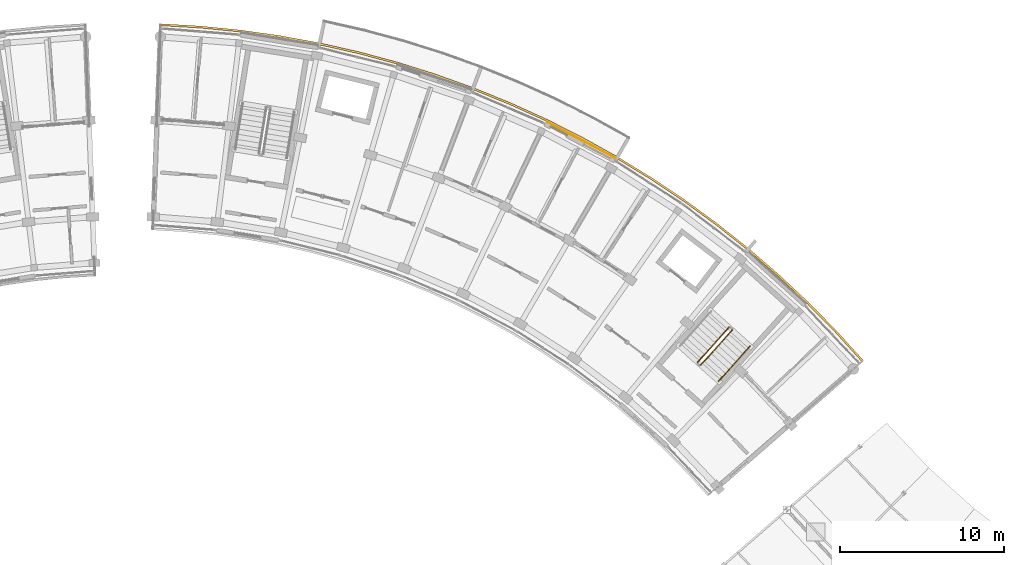
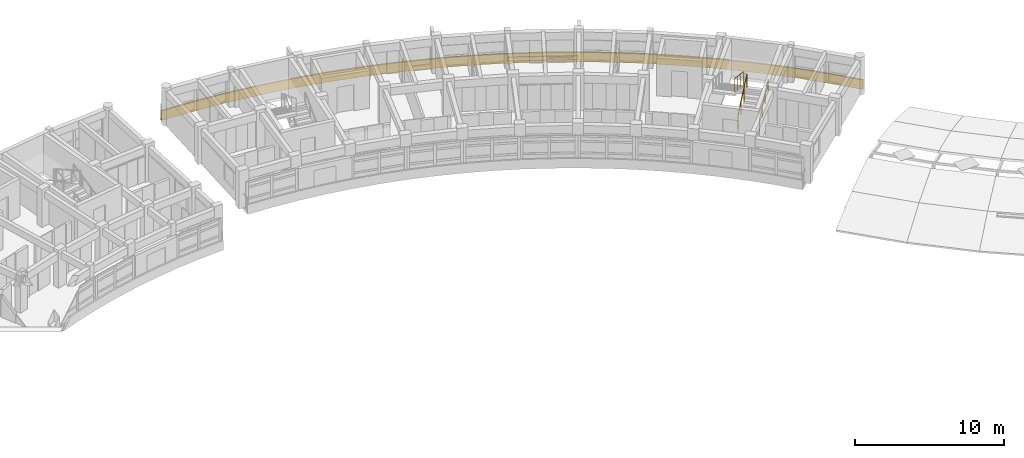
# One storey, part 39 of 40: 4 railings, 1 covering.
"""IFC4 building model written with IfcOpenShell, lengths in metres."""

from ifc_helpers import new_model, si_unit, direction, frame, origin, origin_2d, place, context, subcontext, project, spatial, polyline, rectangle, circle, outline, extrude, material, layer, layer_set, type_object, element, save


model = new_model("IFC4")

# Units and contexts
model_context = context("Model", 3, precision=1e-05, world=origin(), true_north=direction((0.0, 1.0)))
body_context = subcontext(model_context, "Body", "Model", "MODEL_VIEW")
ifc_project = project(units=[si_unit("LENGTHUNIT", "METRE"), si_unit("AREAUNIT", "SQUARE_METRE"), si_unit("VOLUMEUNIT", "CUBIC_METRE"), si_unit("PLANEANGLEUNIT", "RADIAN"), si_unit("MASSUNIT", "GRAM", prefix="KILO")], contexts=[model_context])

# Site, building, storey
site_placement = place(None, origin())
site = spatial("IfcSite", under=ifc_project, at=site_placement, CompositionType="ELEMENT")
building_placement = place(site_placement, origin())
building = spatial("IfcBuilding", under=site, at=building_placement, Name="Zimvara Arc Housing Community", CompositionType="ELEMENT")
storey_placement = place(building_placement, frame((0.0, 0.0, 32.89990234375)))
storey = spatial("IfcBuildingStorey", under=building, at=storey_placement, Name="L10", CompositionType="ELEMENT", Elevation=32.89990234375)

# Covering
ifc_material_1 = material(Name="Pale-Gold Anodised Aluminium Cladding", Category="aluminium")
ifc_layer = layer(ifc_material_1, 0.044921875)
ifc_layer_set = layer_set([ifc_layer], Name="Pale-Gold Anodised Aluminium Cladding")
covering_type = type_object("IfcCoveringType", Name="CLD-GOLD-02", PredefinedType="CLADDING", material=ifc_layer_set)
covering_placement = place(storey_placement, frame((72.873779296875, 97.0556640625, 0.01025390625), z_axis=(0.0, 0.0, 1.0), x_axis=(0.88343873811, -0.468546684981, 0.0)))
element("IfcCovering", 1, at=covering_placement, inside=storey, type_object=covering_type, Name="cld:blkB:L10:out:b5", PredefinedType="CLADDING", context=body_context, shape_type="SweptSolid", body=[
    extrude(rectangle(XDim=4.748779296875, YDim=0.044921875, at=origin_2d()), origin(), (0.0, 0.0, 1.0), 0.300048828125),
])

# Railings
ifc_material_2 = material(Name="Anodised Aluminium AW-6063", Category="aluminium")
railing_type_1 = type_object("IfcRailingType", Name="RLG-BAL-1120", PredefinedType="BALUSTRADE", material=ifc_material_2)
railing_1_placement = place(storey_placement, frame((80.1455078125, 83.365966796875, 0.155029296875)))
element("IfcRailing", 2, at=railing_1_placement, inside=storey, type_object=railing_type_1, Name="L10 ST-B2 stair guard 1", PredefinedType="BALUSTRADE", context=body_context, shape_type="SweptSolid", body=[
    extrude(circle(Radius=0.02392578125, at=origin_2d()), frame((0.0, 0.0, 1.09619140625), z_axis=(0.601231728384, 0.668248248038, 0.438137749775), x_axis=(-0.743400174344, 0.668846903847, 0.0)), (0.0, 0.0, 1.0), 3.18408203125),
    extrude(circle(Radius=0.02099609375, at=origin_2d()), origin(), (0.0, 0.0, 1.0), 1.072021484375),
    extrude(circle(Radius=0.02099609375, at=origin_2d()), frame((0.63818359375, 0.709228515625, 0.465087890625)), (0.0, 0.0, 1.0), 1.072021484375),
    extrude(circle(Radius=0.02099609375, at=origin_2d()), frame((1.276123046875, 1.41845703125, 0.929931640625)), (0.0, 0.0, 1.0), 1.072021484375),
    extrude(circle(Radius=0.02099609375, at=origin_2d()), frame((1.914306640625, 2.127685546875, 1.39501953125)), (0.0, 0.0, 1.0), 1.072021484375),
])
railing_2_placement = place(storey_placement, frame((81.866455078125, 85.66748046875, 1.705078125)))
element("IfcRailing", 3, at=railing_2_placement, inside=storey, type_object=railing_type_1, Name="L10 ST-B2 stair guard 3", PredefinedType="BALUSTRADE", context=body_context, shape_type="SweptSolid", body=[
    extrude(circle(Radius=0.02392578125, at=origin_2d()), frame((0.0, 0.0, 1.09619140625), z_axis=(-0.601262536038, -0.668205807809, 0.438160200347), x_axis=(0.743362010683, -0.668889319, 0.0)), (0.0, 0.0, 1.0), 3.183837890625),
    extrude(circle(Radius=0.02099609375, at=origin_2d()), origin(), (0.0, 0.0, 1.0), 1.072021484375),
    extrude(circle(Radius=0.02099609375, at=origin_2d()), frame((-0.63818359375, -0.709228515625, 0.465087890625)), (0.0, 0.0, 1.0), 1.072021484375),
    extrude(circle(Radius=0.02099609375, at=origin_2d()), frame((-1.276123046875, -1.418212890625, 0.929931640625)), (0.0, 0.0, 1.0), 1.072021484375),
    extrude(circle(Radius=0.02099609375, at=origin_2d()), frame((-1.914306640625, -2.12744140625, 1.39501953125)), (0.0, 0.0, 1.0), 1.072021484375),
])
ifc_material_3 = material(Name="Pale-Gold Anodised Aluminium AW-6063", Category="aluminium")
railing_type_2 = type_object("IfcRailingType", Name="RLG-FAS-780", PredefinedType="BALUSTRADE", material=ifc_material_3)
railing_3_placement = place(storey_placement, frame((0.0, 0.0, -0.219970703125)))
element("IfcRailing", 4, at=railing_3_placement, inside=storey, type_object=railing_type_2, Name="rlg:blkB:L10:gold_out", PredefinedType="BALUSTRADE", context=body_context, shape_type="SweptSolid", body=[
    extrude(outline(polyline([(47.286376953125, 104.01611328125), (49.71435546875, 103.873046875), (52.134765625, 103.631103515625), (54.54296875, 103.29052734375), (56.935546875, 102.851806640625), (59.307861328125, 102.31591796875), (61.65673828125, 101.68359375), (63.9775390625, 100.955810546875), (66.266845703125, 100.1337890625), (68.5205078125, 99.218994140625), (70.735107421875, 98.213134765625), (72.90673828125, 97.11767578125), (75.03173828125, 95.934326171875), (77.106689453125, 94.665283203125), (79.128173828125, 93.3125), (81.0927734375, 91.87841796875), (82.9970703125, 90.365234375), (84.837890625, 88.775634765625), (86.612548828125, 87.112060546875), (88.317626953125, 85.377685546875), (89.950439453125, 83.574951171875), (90.041015625, 83.653564453125), (88.40478515625, 85.4599609375), (86.6962890625, 87.197998046875), (84.918212890625, 88.86474609375), (83.073486328125, 90.457763671875), (81.165283203125, 91.973876953125), (79.197021484375, 93.410888671875), (77.17138671875, 94.766357421875), (75.09228515625, 96.037841796875), (72.962890625, 97.2236328125), (70.786865234375, 98.3212890625), (68.56787109375, 99.329345703125), (66.3095703125, 100.245849609375), (64.015625, 101.069580078125), (61.690185546875, 101.798583984375), (59.3369140625, 102.432373046875), (56.95947265625, 102.969482421875), (54.562255859375, 103.408935546875), (52.149169921875, 103.750244140625), (49.723876953125, 103.99267578125), (47.291015625, 104.135986328125), (47.286376953125, 104.01611328125)])), origin(), (0.0, 0.0, 1.0), 0.780029296875),
])
ifc_material_4 = material(Name="Anodised Aluminium AW-6063", Category="aluminium")
railing_type_3 = type_object("IfcRailingType", Name="RLG-HND-900", PredefinedType="HANDRAIL", material=ifc_material_4)
railing_4_placement = place(storey_placement, frame((81.230712890625, 82.389404296875, 0.155029296875)))
element("IfcRailing", 5, at=railing_4_placement, inside=storey, type_object=railing_type_3, Name="L10 ST-B2 stair handrail 1", PredefinedType="HANDRAIL", context=body_context, shape_type="SweptSolid", body=[
    extrude(circle(Radius=0.02392578125, at=origin_2d()), frame((0.0, 0.0, 0.8759765625), z_axis=(0.601231728384, 0.668248248038, 0.438137749775), x_axis=(-0.743400174344, 0.668846903847, 0.0)), (0.0, 0.0, 1.0), 3.18408203125),
    extrude(circle(Radius=0.02099609375, at=origin_2d()), origin(), (0.0, 0.0, 1.0), 0.851806640625),
    extrude(circle(Radius=0.02099609375, at=origin_2d()), frame((0.63818359375, 0.709228515625, 0.465087890625)), (0.0, 0.0, 1.0), 0.851806640625),
    extrude(circle(Radius=0.02099609375, at=origin_2d()), frame((1.276123046875, 1.41845703125, 0.929931640625)), (0.0, 0.0, 1.0), 0.851806640625),
    extrude(circle(Radius=0.02099609375, at=origin_2d()), frame((1.914306640625, 2.127685546875, 1.39501953125)), (0.0, 0.0, 1.0), 0.851806640625),
])

save(model, "model.ifc")
